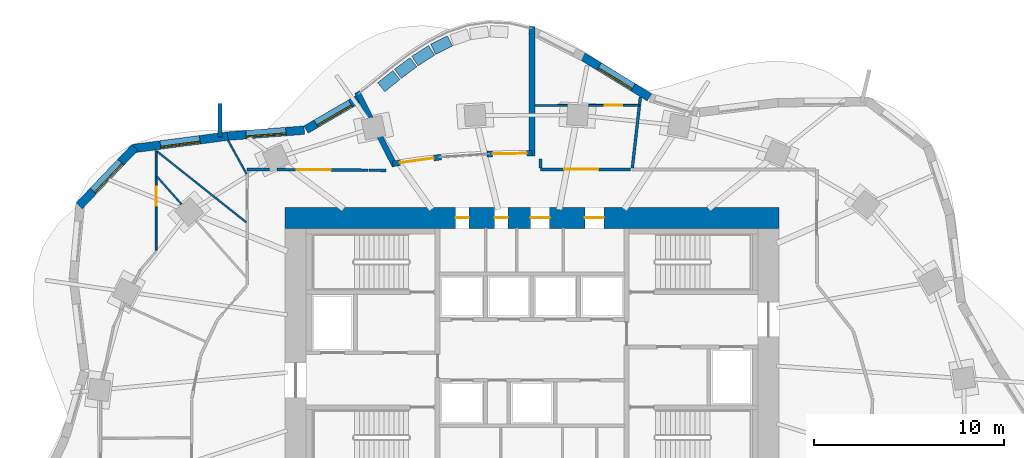
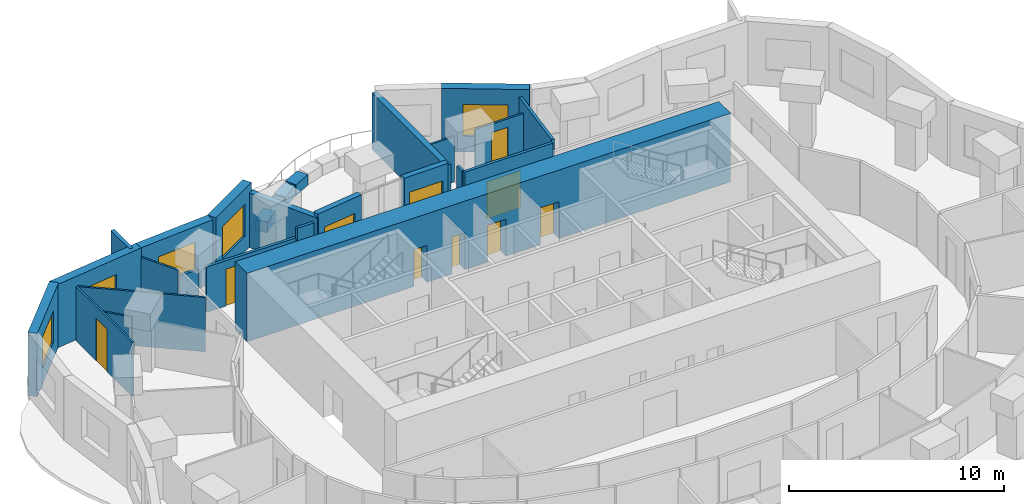
# One storey, part 9 of 11: 27 walls, 10 doors, 5 windows, 15 openings.
"""IFC4 building model written with IfcOpenShell, lengths in metres."""

import ifcopenshell
import ifcopenshell.guid

model = None  # the IFC model being written
_history = None  # IfcOwnerHistory: only IFC2X3 demands one
_inside = {}  # id of a spatial element -> (the spatial element, [elements in it])
_under = {}  # id of a project, library or spatial element -> (it, [spatial elements below it])
_declared = {}  # id of a project -> (the project, [libraries it declares])
_typed = {}  # id of a type object -> (the type object, [elements of that type])
_made_of = {}  # id of a material, layer set ... -> (it, [elements and type objects made of it])


def new_model(schema):
    """Start an empty IFC model of exactly this schema.

    Asked for "IFC4X3", IfcOpenShell would pick the latest addendum, in which some entities
    have other attributes; the version numbers below select the first issue.
    IFC2X3 requires an IfcOwnerHistory on every rooted entity: one is made here for all.
    """
    global model, _history
    if schema == "IFC4X3":
        model = ifcopenshell.file(schema_version=(4, 3, 0, 0))
    else:
        model = ifcopenshell.file(schema=schema)
    _inside.clear()
    _under.clear()
    _declared.clear()
    _typed.clear()
    _made_of.clear()
    _history = None
    if model.schema == "IFC2X3":
        org = make("IfcOrganization", Name="unknown")
        user = make(
            "IfcPersonAndOrganization",
            ThePerson=make("IfcPerson", FamilyName="unknown"),
            TheOrganization=org,
        )
        app = make(
            "IfcApplication",
            ApplicationDeveloper=org,
            Version="unknown",
            ApplicationFullName="unknown",
            ApplicationIdentifier="unknown",
        )
        _history = make(
            "IfcOwnerHistory",
            OwningUser=user,
            OwningApplication=app,
            ChangeAction="ADDED",
            CreationDate=0,
        )
    return model


def make(cls, **values):
    """One entity of the class cls with the attributes given. An attribute that is None is left unset."""
    return model.create_entity(
        cls, **{name: value for name, value in values.items() if value is not None}
    )


def rooted(cls, **values):
    """An entity with a GlobalId (a new one), such as an element, a storey or a relation."""
    return make(cls, GlobalId=ifcopenshell.guid.new(), OwnerHistory=_history, **values)


def si_unit(unit_type, name, prefix=None):
    """IfcSIUnit, for example si_unit("LENGTHUNIT", "METRE", prefix="MILLI")."""
    return make("IfcSIUnit", UnitType=unit_type, Prefix=prefix, Name=name)


def assignment(units):
    """IfcUnitAssignment: the units of a project."""
    return None if units is None else make("IfcUnitAssignment", Units=units)


def point(xyz):
    """IfcCartesianPoint."""
    return None if xyz is None else make("IfcCartesianPoint", Coordinates=xyz)


def direction(xyz):
    """IfcDirection."""
    return None if xyz is None else make("IfcDirection", DirectionRatios=xyz)


def frame(location, z_axis=None, x_axis=None):
    """IfcAxis2Placement3D, a coordinate frame: its origin and axes. An axis left out is left unset."""
    return make(
        "IfcAxis2Placement3D",
        Location=point(location),
        Axis=direction(z_axis),
        RefDirection=direction(x_axis),
    )


def frame_2d(location, x_axis=None):
    """IfcAxis2Placement2D, a coordinate frame in the plane: its origin and x axis."""
    return make(
        "IfcAxis2Placement2D", Location=point(location), RefDirection=direction(x_axis)
    )


def origin():
    """The frame at (0, 0, 0) with its axes left unset."""
    return frame((0.0, 0.0, 0.0))


def place(relative_to, where):
    """IfcLocalPlacement: puts the frame where relative to a parent placement (None: the world)."""
    return make(
        "IfcLocalPlacement", PlacementRelTo=relative_to, RelativePlacement=where
    )


def context(
    kind, dimensions, precision=None, world=None, true_north=None, identifier=None
):
    """IfcGeometricRepresentationContext, for example the 3D "Model" context."""
    return make(
        "IfcGeometricRepresentationContext",
        ContextIdentifier=identifier,
        ContextType=kind,
        CoordinateSpaceDimension=dimensions,
        Precision=precision,
        WorldCoordinateSystem=world,
        TrueNorth=true_north,
    )


def subcontext(parent, identifier, kind, view, scale=None):
    """IfcGeometricRepresentationSubContext, for example "Body" below "Model"."""
    return make(
        "IfcGeometricRepresentationSubContext",
        ContextIdentifier=identifier,
        ContextType=kind,
        ParentContext=parent,
        TargetScale=scale,
        TargetView=view,
    )


def project(units=None, contexts=None):
    """IfcProject with its units and contexts."""
    return rooted(
        "IfcProject",
        Name="project",
        RepresentationContexts=contexts,
        UnitsInContext=assignment(units),
    )


def spatial(cls, under=None, at=None, **own):
    """A site, building, storey or space (cls), placed at a placement, below another one or the project."""
    s = rooted(cls, ObjectPlacement=at, **own)
    if under is not None:
        _under.setdefault(under.id(), (under, []))[1].append(s)
    return s


def profile(cls, at=None, kind="AREA", **sizes):
    """A parametric profile (cls). Its sizes go by their IFC names, for example OverallWidth=200.0."""
    return make(cls, ProfileType=kind, Position=at, **sizes)


def rectangle(**sizes):
    """IfcRectangleProfileDef."""
    return profile("IfcRectangleProfileDef", **sizes)


def extrude(swept, where, along, depth):
    """IfcExtrudedAreaSolid: the profile swept, set in the frame where, extruded along a direction by depth."""
    return make(
        "IfcExtrudedAreaSolid",
        SweptArea=swept,
        Position=where,
        ExtrudedDirection=direction(along),
        Depth=depth,
    )


def shape(context_of_items, identifier, shape_type, items):
    """IfcShapeRepresentation: the items that make up one representation, for example the "Body"."""
    return make(
        "IfcShapeRepresentation",
        ContextOfItems=context_of_items,
        RepresentationIdentifier=identifier,
        RepresentationType=shape_type,
        Items=items,
    )


def material(Name=None, Category=None):
    """IfcMaterial."""
    return make("IfcMaterial", Name=Name, Category=Category)


def layer(
    of_material, thickness, ventilated=None, Name=None, Category=None, Priority=None
):
    """IfcMaterialLayer: one layer of a wall or slab, of a material (None: an air gap)."""
    return make(
        "IfcMaterialLayer",
        Material=of_material,
        LayerThickness=thickness,
        IsVentilated=ventilated,
        Name=Name,
        Category=Category,
        Priority=Priority,
    )


def layer_set(layers, Name=None):
    """IfcMaterialLayerSet."""
    return make("IfcMaterialLayerSet", MaterialLayers=layers, LayerSetName=Name)


def made_of(thing, what):
    """Note that an element or type object is made of a material, layer set ...; save() writes the relation."""
    if what is not None:
        _made_of.setdefault(what.id(), (what, []))[1].append(thing)
    return thing


def type_object(cls, material=None, **own):
    """A type object (cls), such as IfcWallType, which elements share."""
    return made_of(rooted(cls, **own), material)


def element(
    cls,
    number,
    at=None,
    inside=None,
    cuts=None,
    type_object=None,
    material=None,
    context=None,
    identifier="Body",
    shape_type=None,
    held_by="IfcProductDefinitionShape",
    body=None,
    shapes=None,
    **own,
):
    """One element of the class cls, such as IfcWall. Its Tag is "e" and its number.

    at: its placement. inside: the storey or other place that contains it. cuts: it is an
    opening in that element (IfcRelVoidsElement). A single representation is given by context,
    identifier, shape_type and body (its items); several are given by shapes. held_by: the class
    of the entity that holds the representations. save() writes the other relations.
    """
    e = rooted(cls, Tag="e%d" % number, ObjectPlacement=at, **own)
    if body is not None:
        shapes = [shape(context, identifier, shape_type, body)]
    if shapes is not None:
        e.Representation = make(held_by, Representations=shapes)
    if inside is not None:
        _inside.setdefault(inside.id(), (inside, []))[1].append(e)
    if cuts is not None:
        rooted(
            "IfcRelVoidsElement", RelatingBuildingElement=cuts, RelatedOpeningElement=e
        )
    if type_object is not None:
        _typed.setdefault(type_object.id(), (type_object, []))[1].append(e)
    return made_of(e, material)


def fill(opening, filler):
    """IfcRelFillsElement: the door or window that sits in an opening."""
    return rooted(
        "IfcRelFillsElement",
        RelatingOpeningElement=opening,
        RelatedBuildingElement=filler,
    )


def aggregate(whole, parts):
    """IfcRelAggregates: a whole, such as a stair, and the parts it consists of."""
    return rooted("IfcRelAggregates", RelatingObject=whole, RelatedObjects=parts)


def save(model, path):
    """Write the relations noted so far, then the file.

    IfcRelAggregates (storeys below a building ...), IfcRelContainedInSpatialStructure (elements
    in a storey), IfcRelDefinesByType, IfcRelAssociatesMaterial and IfcRelDeclares: one each for
    every whole, place, type object, material and project.
    """
    for whole, parts in _under.values():
        aggregate(whole, parts)
    for where, things in _inside.values():
        rooted(
            "IfcRelContainedInSpatialStructure",
            RelatedElements=things,
            RelatingStructure=where,
        )
    for kind, things in _typed.values():
        rooted("IfcRelDefinesByType", RelatedObjects=things, RelatingType=kind)
    for what, things in _made_of.values():
        rooted("IfcRelAssociatesMaterial", RelatedObjects=things, RelatingMaterial=what)
    for by, libraries in _declared.values():
        rooted("IfcRelDeclares", RelatingContext=by, RelatedDefinitions=libraries)
    model.write(path)


model = new_model("IFC4")

# Units and contexts
model_context = context("Model", 3, precision=1e-05, world=origin(), true_north=direction((0.0, 1.0)))
body_context = subcontext(model_context, "Body", "Model", "MODEL_VIEW")
ifc_project = project(units=[si_unit("LENGTHUNIT", "METRE"), si_unit("AREAUNIT", "SQUARE_METRE"), si_unit("VOLUMEUNIT", "CUBIC_METRE"), si_unit("PLANEANGLEUNIT", "RADIAN"), si_unit("MASSUNIT", "GRAM", prefix="KILO")], contexts=[model_context])

# Site, building, storey
site_placement = place(None, origin())
site = spatial("IfcSite", under=ifc_project, at=site_placement, CompositionType="ELEMENT")
building_placement = place(site_placement, origin())
building = spatial("IfcBuilding", under=site, at=building_placement, Name="Rubra Terraces Tower", CompositionType="ELEMENT")
storey_placement = place(building_placement, frame((0.0, 0.0, 165.60009765625)))
storey = spatial("IfcBuildingStorey", under=building, at=storey_placement, Name="L40", CompositionType="ELEMENT", Elevation=165.60009765625)

# Wall, opening, window
ifc_material_1 = material(Name="Brick masonry red-brown", Category="masonry")
ifc_layer_1 = layer(ifc_material_1, 0.449951171875)
ifc_layer_set_1 = layer_set([ifc_layer_1], Name="Brick masonry red-brown")
wall_type_1 = type_object("IfcWallType", Name="Brick facade wall 450", PredefinedType="SOLIDWALL", material=ifc_layer_set_1)
wall_1_placement = place(storey_placement, frame((6.17724609375, 17.797607421875, 0.0), z_axis=(0.0, 0.0, 1.0), x_axis=(-0.852939764965, 0.52200934603, 0.0)))
wall_1 = element("IfcWall", 1, at=wall_1_placement, inside=storey, type_object=wall_type_1, Name="Facade wall L40 bay 9", PredefinedType="SOLIDWALL", context=body_context, shape_type="SweptSolid", body=[
    extrude(rectangle(XDim=4.11279296875, YDim=0.449951171875, at=frame_2d((2.056396484375, 0.0))), origin(), (0.0, 0.0, 1.0), 3.599853515625),
])
opening_1_placement = place(wall_1_placement, frame((1.00634765625, 0.0, 0.89990234375)))
opening_1 = element("IfcOpeningElement", 2, at=opening_1_placement, cuts=wall_1, Name="Opening W1Z", PredefinedType="OPENING", context=body_context, shape_type="SweptSolid", body=[
    extrude(rectangle(XDim=2.10009765625, YDim=1.800048828125, at=frame_2d((1.050048828125, 0.89990234375))), frame((0.0, 0.23486328125, 0.0), z_axis=(0.0, -1.0, 0.0), x_axis=(1.0, 0.0, 0.0)), (0.0, 0.0, 1.0), 0.469970703125),
])
ifc_material_2 = material(Name="Clear glass in aluminium frame", Category="aluminium")
window_type = type_object("IfcWindowType", Name="Fixed deep-set window under transfer level 2100 x 1800", PartitioningType="SINGLE_PANEL", PredefinedType="WINDOW", material=ifc_material_2)
window_1_placement = place(opening_1_placement, origin())
window_1 = element("IfcWindow", 3, at=window_1_placement, inside=storey, type_object=window_type, Name="Window L40 bay 9", OverallHeight=1.800048828125, OverallWidth=2.10009765625, PartitioningType="SINGLE_PANEL", PredefinedType="WINDOW", context=body_context, shape_type="SweptSolid", body=[
    extrude(rectangle(XDim=2.10009765625, YDim=1.800048828125, at=frame_2d((1.050048828125, 0.89990234375))), frame((0.0, 0.135009765625, 0.0), z_axis=(0.0, -1.0, 0.0), x_axis=(1.0, 0.0, 0.0)), (0.0, 0.0, 1.0), 0.06005859375),
])
fill(opening_1, window_1)

wall_2_placement = place(storey_placement, frame((-9.031005859375, 17.76806640625, 0.0), z_axis=(0.0, 0.0, 1.0), x_axis=(-0.86436168755, -0.502870632565, 0.0)))
wall_2 = element("IfcWall", 4, at=wall_2_placement, inside=storey, type_object=wall_type_1, Name="Facade wall L40 bay 14", PredefinedType="SOLIDWALL", context=body_context, shape_type="SweptSolid", body=[
    extrude(rectangle(XDim=3.32421875, YDim=0.449951171875, at=frame_2d((1.662109375, 0.0))), origin(), (0.0, 0.0, 1.0), 3.599853515625),
])
opening_2_placement = place(wall_2_placement, frame((0.612060546875, 0.0, 0.89990234375)))
opening_2 = element("IfcOpeningElement", 5, at=opening_2_placement, cuts=wall_2, Name="Opening W1Z", PredefinedType="OPENING", context=body_context, shape_type="SweptSolid", body=[
    extrude(rectangle(XDim=2.10009765625, YDim=1.800048828125, at=frame_2d((1.050048828125, 0.89990234375))), frame((0.0, 0.23486328125, 0.0), z_axis=(0.0, -1.0, 0.0), x_axis=(1.0, 0.0, 0.0)), (0.0, 0.0, 1.0), 0.469970703125),
])
window_2_placement = place(opening_2_placement, origin())
window_2 = element("IfcWindow", 6, at=window_2_placement, inside=storey, type_object=window_type, Name="Window L40 bay 14", OverallHeight=1.800048828125, OverallWidth=2.10009765625, PartitioningType="SINGLE_PANEL", PredefinedType="WINDOW", context=body_context, shape_type="SweptSolid", body=[
    extrude(rectangle(XDim=2.10009765625, YDim=1.800048828125, at=frame_2d((1.050048828125, 0.89990234375))), frame((0.0, 0.135009765625, 0.0), z_axis=(0.0, -1.0, 0.0), x_axis=(1.0, 0.0, 0.0)), (0.0, 0.0, 1.0), 0.06005859375),
])
fill(opening_2, window_2)

wall_3_placement = place(storey_placement, frame((-11.9951171875, 16.06689453125, 0.0), z_axis=(0.0, 0.0, 1.0), x_axis=(-0.996967993416, -0.077812724559, 0.0)))
wall_3 = element("IfcWall", 7, at=wall_3_placement, inside=storey, type_object=wall_type_1, Name="Facade wall L40 bay 15", PredefinedType="SOLIDWALL", context=body_context, shape_type="SweptSolid", body=[
    extrude(rectangle(XDim=4.04736328125, YDim=0.449951171875, at=frame_2d((2.023681640625, 0.0))), origin(), (0.0, 0.0, 1.0), 3.599853515625),
])
opening_3_placement = place(wall_3_placement, frame((0.9736328125, 0.0, 0.89990234375)))
opening_3 = element("IfcOpeningElement", 8, at=opening_3_placement, cuts=wall_3, Name="Opening W1Z", PredefinedType="OPENING", context=body_context, shape_type="SweptSolid", body=[
    extrude(rectangle(XDim=2.10009765625, YDim=1.800048828125, at=frame_2d((1.050048828125, 0.89990234375))), frame((0.0, 0.23486328125, 0.0), z_axis=(0.0, -1.0, 0.0), x_axis=(1.0, 0.0, 0.0)), (0.0, 0.0, 1.0), 0.469970703125),
])
window_3_placement = place(opening_3_placement, origin())
window_3 = element("IfcWindow", 9, at=window_3_placement, inside=storey, type_object=window_type, Name="Window L40 bay 15", OverallHeight=1.800048828125, OverallWidth=2.10009765625, PartitioningType="SINGLE_PANEL", PredefinedType="WINDOW", context=body_context, shape_type="SweptSolid", body=[
    extrude(rectangle(XDim=2.10009765625, YDim=1.800048828125, at=frame_2d((1.050048828125, 0.89990234375))), frame((0.0, 0.135009765625, 0.0), z_axis=(0.0, -1.0, 0.0), x_axis=(1.0, 0.0, 0.0)), (0.0, 0.0, 1.0), 0.06005859375),
])
fill(opening_3, window_3)

wall_4_placement = place(storey_placement, frame((-16.019287109375, 15.75341796875, 0.0), z_axis=(0.0, 0.0, 1.0), x_axis=(-0.991409967396, -0.130790965086, 0.0)))
wall_4 = element("IfcWall", 10, at=wall_4_placement, inside=storey, type_object=wall_type_1, Name="Facade wall L40 bay 16", PredefinedType="SOLIDWALL", context=body_context, shape_type="SweptSolid", body=[
    extrude(rectangle(XDim=5.06787109375, YDim=0.449951171875, at=frame_2d((2.533935546875, 0.0))), origin(), (0.0, 0.0, 1.0), 3.599853515625),
])
opening_4_placement = place(wall_4_placement, frame((1.48388671875, 0.0, 0.89990234375)))
opening_4 = element("IfcOpeningElement", 11, at=opening_4_placement, cuts=wall_4, Name="Opening W1Z", PredefinedType="OPENING", context=body_context, shape_type="SweptSolid", body=[
    extrude(rectangle(XDim=2.10009765625, YDim=1.800048828125, at=frame_2d((1.050048828125, 0.89990234375))), frame((0.0, 0.23486328125, 0.0), z_axis=(0.0, -1.0, 0.0), x_axis=(1.0, 0.0, 0.0)), (0.0, 0.0, 1.0), 0.469970703125),
])
window_4_placement = place(opening_4_placement, origin())
window_4 = element("IfcWindow", 12, at=window_4_placement, inside=storey, type_object=window_type, Name="Window L40 bay 16", OverallHeight=1.800048828125, OverallWidth=2.10009765625, PartitioningType="SINGLE_PANEL", PredefinedType="WINDOW", context=body_context, shape_type="SweptSolid", body=[
    extrude(rectangle(XDim=2.10009765625, YDim=1.800048828125, at=frame_2d((1.050048828125, 0.89990234375))), frame((0.0, 0.135009765625, 0.0), z_axis=(0.0, -1.0, 0.0), x_axis=(1.0, 0.0, 0.0)), (0.0, 0.0, 1.0), 0.06005859375),
])
fill(opening_4, window_4)

wall_5_placement = place(storey_placement, frame((-20.914306640625, 15.15771484375, 0.0), z_axis=(0.0, 0.0, 1.0), x_axis=(-0.690057851873, -0.723754213161, 0.0)))
wall_5 = element("IfcWall", 13, at=wall_5_placement, inside=storey, type_object=wall_type_1, Name="Facade wall L40 bay 17", PredefinedType="SOLIDWALL", context=body_context, shape_type="SweptSolid", body=[
    extrude(rectangle(XDim=4.2529296875, YDim=0.449951171875, at=frame_2d((2.12646484375, 0.0))), origin(), (0.0, 0.0, 1.0), 3.599853515625),
])
opening_5_placement = place(wall_5_placement, frame((1.076416015625, 0.0, 0.89990234375)))
opening_5 = element("IfcOpeningElement", 14, at=opening_5_placement, cuts=wall_5, Name="Opening W1Z", PredefinedType="OPENING", context=body_context, shape_type="SweptSolid", body=[
    extrude(rectangle(XDim=2.10009765625, YDim=1.800048828125, at=frame_2d((1.050048828125, 0.89990234375))), frame((0.0, 0.23486328125, 0.0), z_axis=(0.0, -1.0, 0.0), x_axis=(1.0, 0.0, 0.0)), (0.0, 0.0, 1.0), 0.469970703125),
])
window_5_placement = place(opening_5_placement, origin())
window_5 = element("IfcWindow", 15, at=window_5_placement, inside=storey, type_object=window_type, Name="Window L40 bay 17", OverallHeight=1.800048828125, OverallWidth=2.10009765625, PartitioningType="SINGLE_PANEL", PredefinedType="WINDOW", context=body_context, shape_type="SweptSolid", body=[
    extrude(rectangle(XDim=2.10009765625, YDim=1.800048828125, at=frame_2d((1.050048828125, 0.89990234375))), frame((0.0, 0.135009765625, 0.0), z_axis=(0.0, -1.0, 0.0), x_axis=(1.0, 0.0, 0.0)), (0.0, 0.0, 1.0), 0.06005859375),
])
fill(opening_5, window_5)

# Wall
ifc_layer_2 = layer(ifc_material_1, 0.199951171875)
ifc_layer_set_2 = layer_set([ifc_layer_2], Name="Brick masonry red-brown")
wall_type_2 = type_object("IfcWallType", Name="Brick wind fin 200", PredefinedType="SOLIDWALL", material=ifc_layer_set_2)
wall_6_placement = place(storey_placement, frame((-16.43505859375, 15.7119140625, 0.0), z_axis=(0.0, 0.0, 1.0), x_axis=(0.000279017846, 0.999999961075, 0.0)))
element("IfcWall", 16, at=wall_6_placement, inside=storey, type_object=wall_type_2, Name="Wind fin L40 8", PredefinedType="SOLIDWALL", context=body_context, shape_type="SweptSolid", body=[
    extrude(rectangle(XDim=1.75, YDim=0.199951171875, at=frame_2d((0.875, 0.0))), origin(), (0.0, 0.0, 1.0), 3.599853515625),
])

# Wall, openings, doors
ifc_material_3 = material(Name="Concrete C60", Category="concrete")
ifc_layer_3 = layer(ifc_material_3, 1.10009765625)
ifc_layer_set_3 = layer_set([ifc_layer_3], Name="Concrete C60")
wall_type_3 = type_object("IfcWallType", Name="CORE WALL 1100 C60", PredefinedType="SHEAR", material=ifc_layer_set_3)
wall_7_placement = place(storey_placement, frame((-13.0, 11.449951171875, 0.0), z_axis=(0.0, 0.0, 1.0), x_axis=(1.0, 0.0, 0.0)))
wall_7 = element("IfcWall", 17, at=wall_7_placement, inside=storey, type_object=wall_type_3, Name="CORE WALL N L40", PredefinedType="SHEAR", context=body_context, shape_type="SweptSolid", body=[
    extrude(rectangle(XDim=26.0, YDim=1.10009765625, at=frame_2d((13.0, 0.0))), origin(), (0.0, 0.0, 1.0), 3.89990234375),
])
opening_6_placement = place(wall_7_placement, frame((8.97509765625, 0.0, 0.0)))
opening_6 = element("IfcOpeningElement", 18, at=opening_6_placement, cuts=wall_7, Name="Opening L40.C25", PredefinedType="OPENING", context=body_context, shape_type="SweptSolid", body=[
    extrude(rectangle(XDim=0.699951171875, YDim=2.10009765625, at=frame_2d((0.35009765625, 1.050048828125))), frame((0.0, 0.56005859375, 0.0), z_axis=(0.0, -1.0, 0.0), x_axis=(1.0, 0.0, 0.0)), (0.0, 0.0, 1.0), 1.1201171875),
])
opening_7_placement = place(wall_7_placement, frame((11.02490234375, 0.0, 0.0)))
opening_7 = element("IfcOpeningElement", 19, at=opening_7_placement, cuts=wall_7, Name="Opening L40.C26", PredefinedType="OPENING", context=body_context, shape_type="SweptSolid", body=[
    extrude(rectangle(XDim=0.699951171875, YDim=2.10009765625, at=frame_2d((0.35009765625, 1.050048828125))), frame((0.0, 0.56005859375, 0.0), z_axis=(0.0, -1.0, 0.0), x_axis=(1.0, 0.0, 0.0)), (0.0, 0.0, 1.0), 1.1201171875),
])
opening_8_placement = place(wall_7_placement, frame((12.925048828125, 0.0, 0.0)))
opening_8 = element("IfcOpeningElement", 20, at=opening_8_placement, cuts=wall_7, Name="Opening L40.C27", PredefinedType="OPENING", context=body_context, shape_type="SweptSolid", body=[
    extrude(rectangle(XDim=1.0, YDim=2.10009765625, at=frame_2d((0.5, 1.050048828125))), frame((0.0, 0.56005859375, 0.0), z_axis=(0.0, -1.0, 0.0), x_axis=(1.0, 0.0, 0.0)), (0.0, 0.0, 1.0), 1.1201171875),
])
opening_9_placement = place(wall_7_placement, frame((15.77490234375, 0.0, 0.0)))
opening_9 = element("IfcOpeningElement", 21, at=opening_9_placement, cuts=wall_7, Name="Opening L40.C28", PredefinedType="OPENING", context=body_context, shape_type="SweptSolid", body=[
    extrude(rectangle(XDim=1.0, YDim=2.10009765625, at=frame_2d((0.5, 1.050048828125))), frame((0.0, 0.56005859375, 0.0), z_axis=(0.0, -1.0, 0.0), x_axis=(1.0, 0.0, 0.0)), (0.0, 0.0, 1.0), 1.1201171875),
])
ifc_material_4 = material(Name="Painted steel", Category="steel")
door_type_1 = type_object("IfcDoorType", Name="Fire door 1000x2100 single", OperationType="NOTDEFINED", PredefinedType="DOOR", material=ifc_material_4)
door_1_placement = place(opening_8_placement, origin())
door_1 = element("IfcDoor", 22, at=door_1_placement, inside=storey, type_object=door_type_1, Name="Guest pantry door", OperationType="SINGLE_SWING_LEFT", OverallHeight=2.10009765625, OverallWidth=1.0, PredefinedType="DOOR", context=body_context, shape_type="SweptSolid", body=[
    extrude(rectangle(XDim=1.0, YDim=2.10009765625, at=frame_2d((0.5, 1.050048828125))), frame((0.0, 0.02490234375, 0.0), z_axis=(0.0, -1.0, 0.0), x_axis=(1.0, 0.0, 0.0)), (0.0, 0.0, 1.0), 0.050048828125),
])
fill(opening_8, door_1)
door_2_placement = place(opening_9_placement, origin())
door_2 = element("IfcDoor", 23, at=door_2_placement, inside=storey, type_object=door_type_1, Name="Security and building control room door", OperationType="SINGLE_SWING_RIGHT", OverallHeight=2.10009765625, OverallWidth=1.0, PredefinedType="DOOR", context=body_context, shape_type="SweptSolid", body=[
    extrude(rectangle(XDim=1.0, YDim=2.10009765625, at=frame_2d((0.5, 1.050048828125))), frame((0.0, 0.02490234375, 0.0), z_axis=(0.0, -1.0, 0.0), x_axis=(1.0, 0.0, 0.0)), (0.0, 0.0, 1.0), 0.050048828125),
])
fill(opening_9, door_2)
door_type_2 = type_object("IfcDoorType", Name="Riser access door 700x2100 single", OperationType="NOTDEFINED", PredefinedType="DOOR", material=ifc_material_4)
door_3_placement = place(opening_6_placement, origin())
door_3 = element("IfcDoor", 24, at=door_3_placement, inside=storey, type_object=door_type_2, Name="Electrical riser room door", OperationType="SINGLE_SWING_LEFT", OverallHeight=2.10009765625, OverallWidth=0.699951171875, PredefinedType="DOOR", context=body_context, shape_type="SweptSolid", body=[
    extrude(rectangle(XDim=0.699951171875, YDim=2.10009765625, at=frame_2d((0.35009765625, 1.050048828125))), frame((0.0, 0.02490234375, 0.0), z_axis=(0.0, -1.0, 0.0), x_axis=(1.0, 0.0, 0.0)), (0.0, 0.0, 1.0), 0.050048828125),
])
fill(opening_6, door_3)
door_4_placement = place(opening_7_placement, origin())
door_4 = element("IfcDoor", 25, at=door_4_placement, inside=storey, type_object=door_type_2, Name="Water and drainage riser door", OperationType="SINGLE_SWING_RIGHT", OverallHeight=2.10009765625, OverallWidth=0.699951171875, PredefinedType="DOOR", context=body_context, shape_type="SweptSolid", body=[
    extrude(rectangle(XDim=0.699951171875, YDim=2.10009765625, at=frame_2d((0.35009765625, 1.050048828125))), frame((0.0, 0.02490234375, 0.0), z_axis=(0.0, -1.0, 0.0), x_axis=(1.0, 0.0, 0.0)), (0.0, 0.0, 1.0), 0.050048828125),
])
fill(opening_7, door_4)

# Wall, opening, door
ifc_material_5 = material(Name="Plasterboard on steel stud, mineral wool infill", Category="steel")
ifc_layer_4 = layer(ifc_material_5, 0.14990234375)
ifc_layer_set_4 = layer_set([ifc_layer_4], Name="Plasterboard on steel stud, mineral wool infill")
wall_type_4 = type_object("IfcWallType", Name="CORRIDOR PARTITION 150", PredefinedType="PARTITIONING", material=ifc_layer_set_4)
wall_8_placement = place(storey_placement, frame((5.1953125, 14.0, 0.0), z_axis=(0.0, 0.0, 1.0), x_axis=(-1.0, 0.0, 0.0)))
wall_8 = element("IfcWall", 26, at=wall_8_placement, inside=storey, type_object=wall_type_4, Name="PARTITION", PredefinedType="PARTITIONING", context=body_context, shape_type="SweptSolid", body=[
    extrude(rectangle(XDim=4.744384765625, YDim=0.14990234375, at=frame_2d((2.3720703125, 0.0))), origin(), (0.0, 0.0, 1.0), 3.097900390625),
])
opening_10_placement = place(wall_8_placement, frame((1.7109375, 0.0, 0.0)))
opening_10 = element("IfcOpeningElement", 27, at=opening_10_placement, cuts=wall_8, Name="Opening 40-102", PredefinedType="OPENING", context=body_context, shape_type="SweptSolid", body=[
    extrude(rectangle(XDim=1.800048828125, YDim=2.10009765625, at=frame_2d((0.89990234375, 1.050048828125))), frame((0.0, 0.0849609375, 0.0), z_axis=(0.0, -1.0, 0.0), x_axis=(1.0, 0.0, 0.0)), (0.0, 0.0, 1.0), 0.169921875),
])
ifc_material_6 = material(Name="Painted timber door leaf, double", Category="wood")
door_type_3 = type_object("IfcDoorType", Name="ROOM DOUBLE DOOR 1800 X 2100", OperationType="DOUBLE_DOOR_SINGLE_SWING", PredefinedType="DOOR", material=ifc_material_6)
door_5_placement = place(opening_10_placement, origin())
door_5 = element("IfcDoor", 28, at=door_5_placement, inside=storey, type_object=door_type_3, Name="DOOR 40-102", OperationType="DOUBLE_DOOR_SINGLE_SWING", OverallHeight=2.10009765625, OverallWidth=1.800048828125, PredefinedType="DOOR", context=body_context, shape_type="SweptSolid", body=[
    extrude(rectangle(XDim=1.800048828125, YDim=2.10009765625, at=frame_2d((0.89990234375, 1.050048828125))), frame((0.0, 0.02490234375, 0.0), z_axis=(0.0, -1.0, 0.0), x_axis=(1.0, 0.0, 0.0)), (0.0, 0.0, 1.0), 0.050048828125),
])
fill(opening_10, door_5)

# Walls
wall_9_placement = place(storey_placement, frame((0.45068359375, 14.074951171875, 0.0), z_axis=(0.0, 0.0, 1.0), x_axis=(-0.005617888874, 0.999984219538, 0.0)))
element("IfcWall", 29, at=wall_9_placement, inside=storey, type_object=wall_type_4, Name="PARTITION", PredefinedType="PARTITIONING", context=body_context, shape_type="SweptSolid", body=[
    extrude(rectangle(XDim=0.47802734375, YDim=0.14990234375, at=frame_2d((0.239013671875, 0.0))), origin(), (0.0, 0.0, 1.0), 3.097900390625),
])
wall_10_placement = place(storey_placement, frame((-7.694580078125, 13.949462890625, 0.0), z_axis=(0.0, 0.0, 1.0), x_axis=(-0.99996541421, 0.00831687342, 0.0)))
element("IfcWall", 30, at=wall_10_placement, inside=storey, type_object=wall_type_4, Name="PARTITION", PredefinedType="PARTITIONING", context=body_context, shape_type="SweptSolid", body=[
    extrude(rectangle(XDim=0.880615234375, YDim=0.14990234375, at=frame_2d((0.4404296875, 0.0))), origin(), (0.0, 0.0, 1.0), 3.097900390625),
])

# Wall, opening, door
ifc_layer_5 = layer(ifc_material_5, 0.14990234375)
ifc_layer_set_5 = layer_set([ifc_layer_5], Name="Plasterboard on steel stud, mineral wool infill")
wall_type_5 = type_object("IfcWallType", Name="CORRIDOR PARTITION 150 LOW HEAD", PredefinedType="PARTITIONING", material=ifc_layer_set_5)
wall_11_placement = place(storey_placement, frame((-8.650146484375, 13.95751953125, 0.0), z_axis=(0.0, 0.0, 1.0), x_axis=(-0.999977735485, 0.006672970473, 0.0)))
wall_11 = element("IfcWall", 31, at=wall_11_placement, inside=storey, type_object=wall_type_5, Name="PARTITION", PredefinedType="PARTITIONING", context=body_context, shape_type="SweptSolid", body=[
    extrude(rectangle(XDim=4.792724609375, YDim=0.14990234375, at=frame_2d((2.396484375, 0.0))), origin(), (0.0, 0.0, 1.0), 2.579833984375),
])
opening_11_placement = place(wall_11_placement, frame((1.949951171875, 0.0, 0.0)))
opening_11 = element("IfcOpeningElement", 32, at=opening_11_placement, cuts=wall_11, Name="Opening 40-103", PredefinedType="OPENING", context=body_context, shape_type="SweptSolid", body=[
    extrude(rectangle(XDim=1.800048828125, YDim=2.10009765625, at=frame_2d((0.89990234375, 1.050048828125))), frame((0.0, 0.0849609375, 0.0), z_axis=(0.0, -1.0, 0.0), x_axis=(1.0, 0.0, 0.0)), (0.0, 0.0, 1.0), 0.169921875),
])
door_6_placement = place(opening_11_placement, origin())
door_6 = element("IfcDoor", 33, at=door_6_placement, inside=storey, type_object=door_type_3, Name="DOOR 40-103", OperationType="DOUBLE_DOOR_SINGLE_SWING", OverallHeight=2.10009765625, OverallWidth=1.800048828125, PredefinedType="DOOR", context=body_context, shape_type="SweptSolid", body=[
    extrude(rectangle(XDim=1.800048828125, YDim=2.10009765625, at=frame_2d((0.89990234375, 1.050048828125))), frame((0.0, 0.02490234375, 0.0), z_axis=(0.0, -1.0, 0.0), x_axis=(1.0, 0.0, 0.0)), (0.0, 0.0, 1.0), 0.050048828125),
])
fill(opening_11, door_6)

# Wall
wall_12_placement = place(storey_placement, frame((-13.837890625, 13.9921875, 0.0), z_axis=(0.0, 0.0, 1.0), x_axis=(-0.999977403492, 0.006722537166, 0.0)))
element("IfcWall", 34, at=wall_12_placement, inside=storey, type_object=wall_type_5, Name="PARTITION", PredefinedType="PARTITIONING", context=body_context, shape_type="SweptSolid", body=[
    extrude(rectangle(XDim=1.162109375, YDim=0.14990234375, at=frame_2d((0.5810546875, 0.0))), origin(), (0.0, 0.0, 1.0), 2.579833984375),
])

# Wall, opening, door
ifc_material_7 = material(Name="Brick masonry with ochre lime render", Category="masonry")
ifc_layer_6 = layer(ifc_material_7, 0.300048828125)
ifc_layer_set_6 = layer_set([ifc_layer_6], Name="Brick masonry with ochre lime render")
wall_type_6 = type_object("IfcWallType", Name="Ochre rendered brick wall 300", PredefinedType="SOLIDWALL", material=ifc_layer_set_6)
wall_13_placement = place(storey_placement, frame((0.00244140625, 14.85009765625, 0.0), z_axis=(0.0, 0.0, 1.0), x_axis=(-0.999870915063, -0.016067146966, 0.0)))
wall_13 = element("IfcWall", 35, at=wall_13_placement, inside=storey, type_object=wall_type_6, Name="Terrace wall L40 bay 11", PredefinedType="SOLIDWALL", context=body_context, shape_type="SweptSolid", body=[
    extrude(rectangle(XDim=2.370361328125, YDim=0.300048828125, at=frame_2d((1.18505859375, 0.0))), origin(), (0.0, 0.0, 1.0), 3.2998046875),
])
opening_12_placement = place(wall_13_placement, frame((0.28515625, 0.0, 0.0)))
opening_12 = element("IfcOpeningElement", 36, at=opening_12_placement, cuts=wall_13, Name="Opening T40.1", PredefinedType="OPENING", context=body_context, shape_type="SweptSolid", body=[
    extrude(rectangle(XDim=1.800048828125, YDim=2.39990234375, at=frame_2d((0.89990234375, 1.199951171875))), frame((0.0, 0.159912109375, 0.0), z_axis=(0.0, -1.0, 0.0), x_axis=(1.0, 0.0, 0.0)), (0.0, 0.0, 1.0), 0.320068359375),
])
ifc_material_8 = material(Name="Glazed aluminium door leaf", Category="aluminium")
door_type_4 = type_object("IfcDoorType", Name="Terrace double door 1800 x 2400", OperationType="DOUBLE_DOOR_DOUBLE_SWING", PredefinedType="DOOR", material=ifc_material_8)
door_7_placement = place(opening_12_placement, origin())
door_7 = element("IfcDoor", 37, at=door_7_placement, inside=storey, type_object=door_type_4, Name="Terrace door L40.1", OperationType="DOUBLE_DOOR_DOUBLE_SWING", OverallHeight=2.39990234375, OverallWidth=1.800048828125, PredefinedType="DOOR", context=body_context, shape_type="SweptSolid", body=[
    extrude(rectangle(XDim=1.800048828125, YDim=2.39990234375, at=frame_2d((0.89990234375, 1.199951171875))), frame((0.0, 0.02490234375, 0.0), z_axis=(0.0, -1.0, 0.0), x_axis=(1.0, 0.0, 0.0)), (0.0, 0.0, 1.0), 0.050048828125),
])
fill(opening_12, door_7)

wall_14_placement = place(storey_placement, frame((-4.78759765625, 14.6494140625, 0.0), z_axis=(0.0, 0.0, 1.0), x_axis=(-0.990625550347, -0.136605340308, 0.0)))
wall_14 = element("IfcWall", 38, at=wall_14_placement, inside=storey, type_object=wall_type_6, Name="Terrace wall L40 bay 13", PredefinedType="SOLIDWALL", context=body_context, shape_type="SweptSolid", body=[
    extrude(rectangle(XDim=2.5771484375, YDim=0.300048828125, at=frame_2d((1.28857421875, 0.0))), origin(), (0.0, 0.0, 1.0), 3.2998046875),
])
opening_13_placement = place(wall_14_placement, frame((0.388671875, 0.0, 0.0)))
opening_13 = element("IfcOpeningElement", 39, at=opening_13_placement, cuts=wall_14, Name="Opening T40.2", PredefinedType="OPENING", context=body_context, shape_type="SweptSolid", body=[
    extrude(rectangle(XDim=1.800048828125, YDim=2.39990234375, at=frame_2d((0.89990234375, 1.199951171875))), frame((0.0, 0.159912109375, 0.0), z_axis=(0.0, -1.0, 0.0), x_axis=(1.0, 0.0, 0.0)), (0.0, 0.0, 1.0), 0.320068359375),
])
door_8_placement = place(opening_13_placement, origin())
door_8 = element("IfcDoor", 40, at=door_8_placement, inside=storey, type_object=door_type_4, Name="Terrace door L40.2", OperationType="DOUBLE_DOOR_DOUBLE_SWING", OverallHeight=2.39990234375, OverallWidth=1.800048828125, PredefinedType="DOOR", context=body_context, shape_type="SweptSolid", body=[
    extrude(rectangle(XDim=1.800048828125, YDim=2.39990234375, at=frame_2d((0.89990234375, 1.199951171875))), frame((0.0, 0.02490234375, 0.0), z_axis=(0.0, -1.0, 0.0), x_axis=(1.0, 0.0, 0.0)), (0.0, 0.0, 1.0), 0.050048828125),
])
fill(opening_13, door_8)

# Walls
ifc_layer_7 = layer(ifc_material_7, 0.300048828125)
ifc_layer_set_7 = layer_set([ifc_layer_7], Name="Brick masonry with ochre lime render")
wall_type_7 = type_object("IfcWallType", Name="Ochre rendered brick wall 300, head to beam soffit B", PredefinedType="SOLIDWALL", material=ifc_layer_set_7)
wall_15_placement = place(storey_placement, frame((0.0, 21.537109375, 0.0), z_axis=(0.0, 0.0, 1.0), x_axis=(0.0, -1.0, 0.0)))
element("IfcWall", 41, at=wall_15_placement, inside=storey, type_object=wall_type_7, Name="Terrace side wall L40.1", PredefinedType="SOLIDWALL", context=body_context, shape_type="SweptSolid", body=[
    extrude(rectangle(XDim=6.837158203125, YDim=0.300048828125, at=frame_2d((3.41845703125, 0.0))), origin(), (0.0, 0.0, 1.0), 3.2099609375),
])
ifc_layer_8 = layer(ifc_material_7, 0.300048828125)
ifc_layer_set_8 = layer_set([ifc_layer_8], Name="Brick masonry with ochre lime render")
wall_type_8 = type_object("IfcWallType", Name="Ochre rendered brick wall 300, head to beam soffit C", PredefinedType="SOLIDWALL", material=ifc_layer_set_8)
wall_16_placement = place(storey_placement, frame((-9.2080078125, 18.072021484375, 0.0), z_axis=(0.0, 0.0, 1.0), x_axis=(0.453883928901, -0.891060816715, 0.0)))
element("IfcWall", 42, at=wall_16_placement, inside=storey, type_object=wall_type_8, Name="Terrace side wall L40.2", PredefinedType="SOLIDWALL", context=body_context, shape_type="SweptSolid", body=[
    extrude(rectangle(XDim=4.369384765625, YDim=0.300048828125, at=frame_2d((2.1845703125, 0.0))), origin(), (0.0, 0.0, 1.0), 3.10400390625),
])
ifc_layer_9 = layer(ifc_material_7, 0.60009765625)
ifc_layer_set_9 = layer_set([ifc_layer_9], Name="Brick masonry with ochre lime render")
wall_type_9 = type_object("IfcWallType", Name="Planter box 600", PredefinedType="SOLIDWALL", material=ifc_layer_set_9)
wall_17_placement = place(storey_placement, frame((-4.3212890625, 20.770751953125, 0.0), z_axis=(0.0, 0.0, 1.0), x_axis=(-0.892152137454, -0.451735059119, 0.0)))
element("IfcWall", 43, at=wall_17_placement, inside=storey, type_object=wall_type_9, Name="Planter L40.5", PredefinedType="SOLIDWALL", context=body_context, shape_type="SweptSolid", body=[
    extrude(rectangle(XDim=0.9921875, YDim=0.60009765625, at=frame_2d((0.49609375, 0.0))), origin(), (0.0, 0.0, 1.0), 0.599853515625),
])
wall_18_placement = place(storey_placement, frame((-5.293212890625, 20.272705078125, 0.0), z_axis=(0.0, 0.0, 1.0), x_axis=(-0.838641092331, -0.544684420792, 0.0)))
element("IfcWall", 44, at=wall_18_placement, inside=storey, type_object=wall_type_9, Name="Planter L40.6", PredefinedType="SOLIDWALL", context=body_context, shape_type="SweptSolid", body=[
    extrude(rectangle(XDim=1.044921875, YDim=0.60009765625, at=frame_2d((0.5224609375, 0.0))), origin(), (0.0, 0.0, 1.0), 0.599853515625),
])
wall_19_placement = place(storey_placement, frame((-6.251220703125, 19.646240234375, 0.0), z_axis=(0.0, 0.0, 1.0), x_axis=(-0.798647337113, -0.601799327785, 0.0)))
element("IfcWall", 45, at=wall_19_placement, inside=storey, type_object=wall_type_9, Name="Planter L40.7", PredefinedType="SOLIDWALL", context=body_context, shape_type="SweptSolid", body=[
    extrude(rectangle(XDim=1.01953125, YDim=0.60009765625, at=frame_2d((0.509765625, 0.0))), origin(), (0.0, 0.0, 1.0), 0.599853515625),
])
wall_20_placement = place(storey_placement, frame((-7.144287109375, 18.97119140625, 0.0), z_axis=(0.0, 0.0, 1.0), x_axis=(-0.778844346889, -0.627217253684, 0.0)))
element("IfcWall", 46, at=wall_20_placement, inside=storey, type_object=wall_type_9, Name="Planter L40.8", PredefinedType="SOLIDWALL", context=body_context, shape_type="SweptSolid", body=[
    extrude(rectangle(XDim=1.025634765625, YDim=0.60009765625, at=frame_2d((0.5126953125, 0.0))), origin(), (0.0, 0.0, 1.0), 0.599853515625),
])

# Wall, opening, door
ifc_material_9 = material(Name="Plasterboard on steel stud", Category="steel")
ifc_layer_10 = layer(ifc_material_9, 0.10009765625)
ifc_layer_set_10 = layer_set([ifc_layer_10], Name="Plasterboard on steel stud")
wall_type_10 = type_object("IfcWallType", Name="ROOM PARTITION 100", PredefinedType="PARTITIONING", material=ifc_layer_set_10)
wall_21_placement = place(storey_placement, frame((-19.800048828125, 9.731689453125, 0.0), z_axis=(0.0, 0.0, 1.0), x_axis=(0.0, 1.0, 0.0)))
wall_21 = element("IfcWall", 47, at=wall_21_placement, inside=storey, type_object=wall_type_10, Name="PARTITION", PredefinedType="PARTITIONING", context=body_context, shape_type="SweptSolid", body=[
    extrude(rectangle(XDim=5.241455078125, YDim=0.10009765625, at=frame_2d((2.62060546875, 0.0))), origin(), (0.0, 0.0, 1.0), 3.083984375),
])
opening_14_placement = place(wall_21_placement, frame((2.35009765625, 0.0, 0.0)))
opening_14 = element("IfcOpeningElement", 48, at=opening_14_placement, cuts=wall_21, Name="Opening 40-122", PredefinedType="OPENING", context=body_context, shape_type="SweptSolid", body=[
    extrude(rectangle(XDim=1.0, YDim=2.39990234375, at=frame_2d((0.5, 1.199951171875))), frame((0.0, 0.06005859375, 0.0), z_axis=(0.0, -1.0, 0.0), x_axis=(1.0, 0.0, 0.0)), (0.0, 0.0, 1.0), 0.1201171875),
])
ifc_material_10 = material(Name="Glazed aluminium meeting door leaf", Category="aluminium")
door_type_5 = type_object("IfcDoorType", Name="MEETING ROOM GLAZED DOOR 1000 X 2400", OperationType="SINGLE_SWING_LEFT", PredefinedType="DOOR", material=ifc_material_10)
door_9_placement = place(opening_14_placement, origin())
door_9 = element("IfcDoor", 49, at=door_9_placement, inside=storey, type_object=door_type_5, Name="DOOR 40-122", OperationType="SINGLE_SWING_LEFT", OverallHeight=2.39990234375, OverallWidth=1.0, PredefinedType="DOOR", context=body_context, shape_type="SweptSolid", body=[
    extrude(rectangle(XDim=1.0, YDim=2.39990234375, at=frame_2d((0.5, 1.199951171875))), frame((0.0, 0.02490234375, 0.0), z_axis=(0.0, -1.0, 0.0), x_axis=(1.0, 0.0, 0.0)), (0.0, 0.0, 1.0), 0.050048828125),
])
fill(opening_14, door_9)

# Walls
wall_22_placement = place(storey_placement, frame((-15.036376953125, 13.76318359375, 0.0), z_axis=(0.0, 0.0, 1.0), x_axis=(-0.483404650684, 0.875397020613, 0.0)))
element("IfcWall", 50, at=wall_22_placement, inside=storey, type_object=wall_type_10, Name="PARTITION", PredefinedType="PARTITIONING", context=body_context, shape_type="SweptSolid", body=[
    extrude(rectangle(XDim=2.010986328125, YDim=0.10009765625, at=frame_2d((1.00537109375, 0.0))), origin(), (0.0, 0.0, 1.0), 3.083984375),
])
wall_23_placement = place(storey_placement, frame((-15.05224609375, 11.215576171875, 0.0), z_axis=(0.0, 0.0, 1.0), x_axis=(-0.782929703911, 0.622110182149, 0.0)))
element("IfcWall", 51, at=wall_23_placement, inside=storey, type_object=wall_type_10, Name="PARTITION", PredefinedType="PARTITIONING", context=body_context, shape_type="SweptSolid", body=[
    extrude(rectangle(XDim=6.04345703125, YDim=0.10009765625, at=frame_2d((3.021728515625, 0.0))), origin(), (0.0, 0.0, 1.0), 3.083984375),
])
ifc_layer_11 = layer(ifc_material_9, 0.10009765625)
ifc_layer_set_11 = layer_set([ifc_layer_11], Name="Plasterboard on steel stud")
wall_type_11 = type_object("IfcWallType", Name="ROOM PARTITION 100 LOW HEAD", PredefinedType="PARTITIONING", material=ifc_layer_set_11)
wall_24_placement = place(storey_placement, frame((0.159912109375, 17.365966796875, 0.0), z_axis=(0.0, 0.0, 1.0), x_axis=(0.999998228763, 0.001882145211, 0.0)))
element("IfcWall", 52, at=wall_24_placement, inside=storey, type_object=wall_type_11, Name="PARTITION", PredefinedType="PARTITIONING", context=body_context, shape_type="SweptSolid", body=[
    extrude(rectangle(XDim=1.686279296875, YDim=0.10009765625, at=frame_2d((0.84326171875, 0.0))), origin(), (0.0, 0.0, 1.0), 2.579833984375),
])

# Wall, opening, door
wall_25_placement = place(storey_placement, frame((2.98779296875, 17.37109375, 0.0), z_axis=(0.0, 0.0, 1.0), x_axis=(0.999998122806, 0.001937623231, 0.0)))
wall_25 = element("IfcWall", 53, at=wall_25_placement, inside=storey, type_object=wall_type_11, Name="PARTITION", PredefinedType="PARTITIONING", context=body_context, shape_type="SweptSolid", body=[
    extrude(rectangle(XDim=2.64599609375, YDim=0.10009765625, at=frame_2d((1.322998046875, 0.0))), origin(), (0.0, 0.0, 1.0), 2.579833984375),
])
opening_15_placement = place(wall_25_placement, frame((0.85009765625, 0.0, 0.0)))
opening_15 = element("IfcOpeningElement", 54, at=opening_15_placement, cuts=wall_25, Name="Opening 40-121", PredefinedType="OPENING", context=body_context, shape_type="SweptSolid", body=[
    extrude(rectangle(XDim=0.89990234375, YDim=2.10009765625, at=frame_2d((0.449951171875, 1.050048828125))), frame((0.0, 0.06005859375, 0.0), z_axis=(0.0, -1.0, 0.0), x_axis=(1.0, 0.0, 0.0)), (0.0, 0.0, 1.0), 0.1201171875),
])
ifc_material_11 = material(Name="Painted timber door leaf", Category="wood")
door_type_6 = type_object("IfcDoorType", Name="BATHROOM DOOR 900 X 2100", OperationType="SINGLE_SWING_LEFT", PredefinedType="DOOR", material=ifc_material_11)
door_10_placement = place(opening_15_placement, origin())
door_10 = element("IfcDoor", 55, at=door_10_placement, inside=storey, type_object=door_type_6, Name="DOOR 40-121", OperationType="SINGLE_SWING_LEFT", OverallHeight=2.10009765625, OverallWidth=0.89990234375, PredefinedType="DOOR", context=body_context, shape_type="SweptSolid", body=[
    extrude(rectangle(XDim=0.89990234375, YDim=2.10009765625, at=frame_2d((0.449951171875, 1.050048828125))), frame((0.0, 0.02490234375, 0.0), z_axis=(0.0, -1.0, 0.0), x_axis=(1.0, 0.0, 0.0)), (0.0, 0.0, 1.0), 0.050048828125),
])
fill(opening_15, door_10)

# Walls
wall_26_placement = place(storey_placement, frame((-18.458740234375, 12.1630859375, 0.0), z_axis=(0.0, 0.0, 1.0), x_axis=(-0.664040692512, 0.74769643485, 0.0)))
element("IfcWall", 56, at=wall_26_placement, inside=storey, type_object=wall_type_11, Name="PARTITION", PredefinedType="PARTITIONING", context=body_context, shape_type="SweptSolid", body=[
    extrude(rectangle(XDim=1.969970703125, YDim=0.10009765625, at=frame_2d((0.98486328125, 0.0))), origin(), (0.0, 0.0, 1.0), 2.579833984375),
])
ifc_layer_12 = layer(ifc_material_9, 0.14990234375)
ifc_layer_set_12 = layer_set([ifc_layer_12], Name="Plasterboard on steel stud")
wall_type_12 = type_object("IfcWallType", Name="ROOM PARTITION 150", PredefinedType="PARTITIONING", material=ifc_layer_set_12)
wall_27_placement = place(storey_placement, frame((5.7041015625, 17.818603515625, 0.0), z_axis=(0.0, 0.0, 1.0), x_axis=(-0.112863169051, -0.993610539936, 0.0)))
element("IfcWall", 57, at=wall_27_placement, inside=storey, type_object=wall_type_12, Name="PARTITION", PredefinedType="PARTITIONING", context=body_context, shape_type="SweptSolid", body=[
    extrude(rectangle(XDim=3.768310546875, YDim=0.14990234375, at=frame_2d((1.88427734375, 0.0))), origin(), (0.0, 0.0, 1.0), 3.18994140625),
])

save(model, "model.ifc")
